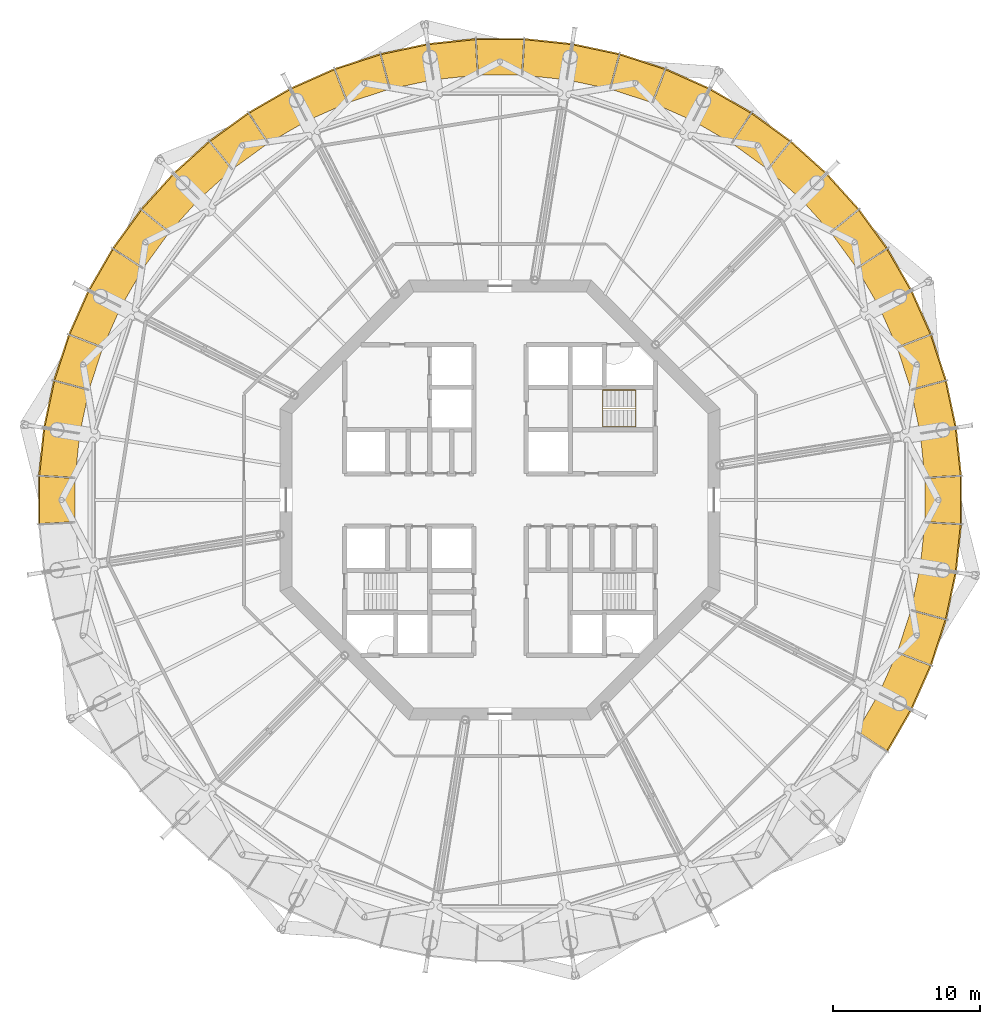
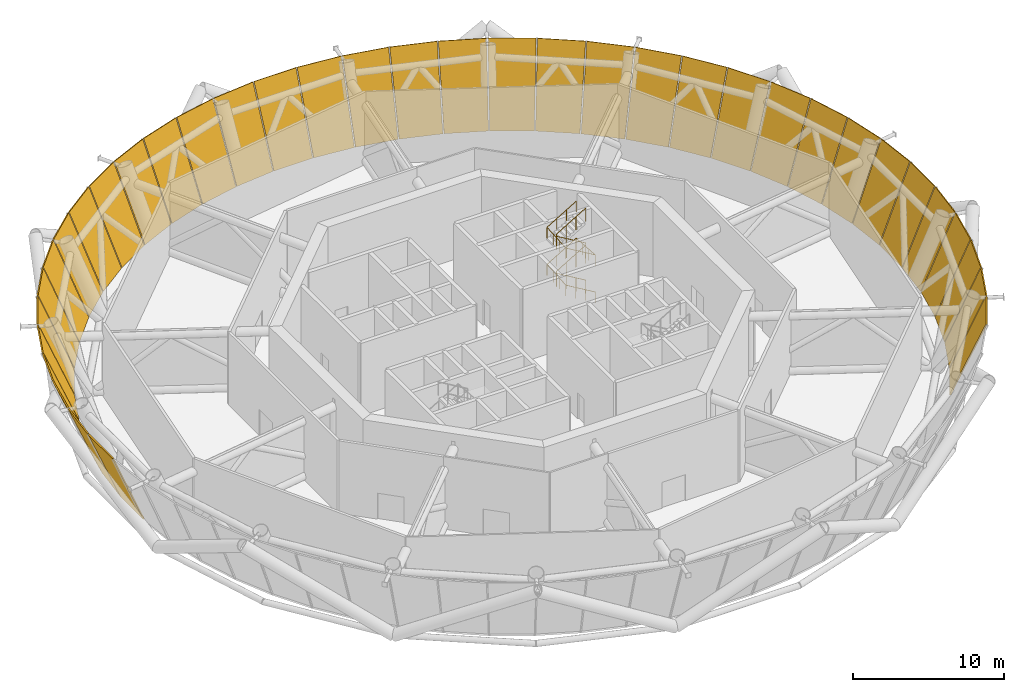
# One storey, part 20 of 20: 36 shading devices, 2 railings.
"""IFC4 building model written with IfcOpenShell, lengths in metres."""

from ifc_helpers import new_model, si_unit, direction, frame, origin, origin_2d, place, context, subcontext, project, spatial, polyline, circle, outline, extrude, material, layer, layer_set, type_object, element, save


model = new_model("IFC4")

# Units and contexts
model_context = context("Model", 3, precision=1e-05, world=origin(), true_north=direction((0.0, 1.0)))
body_context = subcontext(model_context, "Body", "Model", "MODEL_VIEW")
ifc_project = project(units=[si_unit("LENGTHUNIT", "METRE"), si_unit("AREAUNIT", "SQUARE_METRE"), si_unit("VOLUMEUNIT", "CUBIC_METRE"), si_unit("PLANEANGLEUNIT", "RADIAN"), si_unit("MASSUNIT", "GRAM", prefix="KILO")], contexts=[model_context])

# Site, building, storey
site_placement = place(None, origin())
site = spatial("IfcSite", under=ifc_project, at=site_placement, CompositionType="ELEMENT")
building_placement = place(site_placement, origin())
building = spatial("IfcBuilding", under=site, at=building_placement, Name="Entoto Ring Tower", CompositionType="ELEMENT")
storey_placement = place(building_placement, frame((0.0, 0.0, 330.0)))
storey = spatial("IfcBuildingStorey", under=building, at=storey_placement, Name="L76", CompositionType="ELEMENT", Elevation=330.0)

# Shading devices
ifc_material_1 = material(Name="Anodised aluminium", Category="aluminium")
ifc_layer = layer(ifc_material_1, 0.10009765625)
ifc_layer_set = layer_set([ifc_layer], Name="Anodised aluminium")
shading_device_type = type_object("IfcShadingDeviceType", Name="Louvre bank 100 mm anodised aluminium", PredefinedType="JALOUSIE", material=ifc_layer_set)
shading_device_1_placement = place(storey_placement, frame((118.650390625, 84.578369140625, 0.03857421875), z_axis=(-0.902905698117, -0.191893036845, 0.384627563649), x_axis=(-0.2078873337, 0.978152777669, -5.072853e-06)))
element("IfcShadingDevice", 1, at=shading_device_1_placement, inside=storey, type_object=shading_device_type, Name="LOUVRE L76-00", PredefinedType="JALOUSIE", context=body_context, shape_type="SweptSolid", body=[
    extrude(outline(polyline([(0.0, 0.0), (2.9569424470947205, 5.551115123125783e-17), (3.08395391137405, -6.295868617591806), (-0.12705669776806625, -6.29583472086293), (0.0, 0.0)])), origin(), (0.0, 0.0, -1.0), 0.10009765625),
])
shading_device_2_placement = place(storey_placement, frame((118.014892578125, 87.548095703125, 0.03857421875), z_axis=(-0.87789089123, -0.285249685264, 0.384629952231), x_axis=(-0.309024468549, 0.951054087744, -4.905778e-06)))
element("IfcShadingDevice", 2, at=shading_device_2_placement, inside=storey, type_object=shading_device_type, Name="LOUVRE L76-01", PredefinedType="JALOUSIE", context=body_context, shape_type="SweptSolid", body=[
    extrude(outline(polyline([(0.0, 0.0), (2.9569996636958553, -1.1102230246251565e-16), (3.0837332633766725, -6.295874846616945), (-0.12712122140871357, -6.295842066770974), (0.0, 0.0)])), origin(), (0.0, 0.0, -1.0), 0.10009765625),
])
shading_device_3_placement = place(storey_placement, frame((117.072509765625, 90.43505859375, 0.03857421875), z_axis=(-0.843289418518, -0.375424556988, 0.384602858317), x_axis=(-0.406707286074, 0.913558527656, 9.22371e-07)))
element("IfcShadingDevice", 3, at=shading_device_3_placement, inside=storey, type_object=shading_device_type, Name="LOUVRE L76-02", PredefinedType="JALOUSIE", context=body_context, shape_type="SweptSolid", body=[
    extrude(outline(polyline([(0.0, 0.0), (2.9570227538371645, 5.551115123125783e-17), (3.084050239886771, -6.295778378490367), (-0.1268586915096583, -6.295784541673519), (0.0, 0.0)])), origin(), (0.0, 0.0, -1.0), 0.10009765625),
])
shading_device_4_placement = place(storey_placement, frame((115.83349609375, 93.207763671875, 0.03857421875), z_axis=(-0.799402953847, -0.461562213776, 0.384597504146), x_axis=(-0.500020071649, 0.866013815091, 4.501837e-06)))
element("IfcShadingDevice", 4, at=shading_device_4_placement, inside=storey, type_object=shading_device_type, Name="LOUVRE L76-03", PredefinedType="JALOUSIE", context=body_context, shape_type="SweptSolid", body=[
    extrude(outline(polyline([(0.0, 0.0), (2.9569678858379325, -5.551115123125783e-17), (3.0838498953082634, -6.295751205556264), (-0.12688333985561287, -6.295781285130404), (0.0, 0.0)])), origin(), (0.0, 0.0, -1.0), 0.10009765625),
])
shading_device_5_placement = place(storey_placement, frame((114.311279296875, 95.835693359375, 0.03857421875), z_axis=(-0.74679755421, -0.542550852902, 0.384619272843), x_axis=(-0.587764412546, 0.809032134927, 1.2763e-07)))
element("IfcShadingDevice", 5, at=shading_device_5_placement, inside=storey, type_object=shading_device_type, Name="LOUVRE L76-04", PredefinedType="JALOUSIE", context=body_context, shape_type="SweptSolid", body=[
    extrude(outline(polyline([(0.0, 0.0), (2.957031431412119, 0.0), (3.0838625791035326, -6.295827680789539), (-0.12695793471560787, -6.295828533590912), (0.0, 0.0)])), origin(), (0.0, 0.0, -1.0), 0.10009765625),
])
shading_device_6_placement = place(storey_placement, frame((112.52294921875, 98.2900390625, 0.03857421875), z_axis=(-0.685984460559, -0.617660042916, 0.384605500814), x_axis=(-0.669126057194, 0.743148921489, 8.62533e-06)))
element("IfcShadingDevice", 6, at=shading_device_6_placement, inside=storey, type_object=shading_device_type, Name="LOUVRE L76-05", PredefinedType="JALOUSIE", context=body_context, shape_type="SweptSolid", body=[
    extrude(outline(polyline([(0.0, 0.0), (2.9572981652337456, 0.0), (3.084086432904989, -6.295760151808209), (-0.1266322470302978, -6.295817786165504), (0.0, 0.0)])), origin(), (0.0, 0.0, -1.0), 0.10009765625),
])
shading_device_7_placement = place(storey_placement, frame((110.48779296875, 100.544189453125, 0.03857421875), z_axis=(-0.617660042916, -0.685984460559, 0.384605500814), x_axis=(-0.743148921489, 0.669126057194, -8.62533e-06)))
element("IfcShadingDevice", 7, at=shading_device_7_placement, inside=storey, type_object=shading_device_type, Name="LOUVRE L76-06", PredefinedType="JALOUSIE", context=body_context, shape_type="SweptSolid", body=[
    extrude(outline(polyline([(0.0, 0.0), (2.9572981652337456, 0.0), (3.0839304122640434, -6.295817786165504), (-0.12678826767124335, -6.295760151808209), (0.0, 0.0)])), origin(), (0.0, 0.0, -1.0), 0.10009765625),
])
shading_device_8_placement = place(storey_placement, frame((108.22802734375, 102.5732421875, 0.03857421875), z_axis=(-0.542550852902, -0.74679755421, 0.384619272843), x_axis=(-0.809032134927, 0.587764412546, -1.2763e-07)))
element("IfcShadingDevice", 8, at=shading_device_8_placement, inside=storey, type_object=shading_device_type, Name="LOUVRE L76-07", PredefinedType="JALOUSIE", context=body_context, shape_type="SweptSolid", body=[
    extrude(outline(polyline([(0.0, 0.0), (2.957031431412119, 0.0), (3.0839893661277267, -6.295828533590912), (-0.12683114769141382, -6.295827680789539), (0.0, 0.0)])), origin(), (0.0, 0.0, -1.0), 0.10009765625),
])
shading_device_9_placement = place(storey_placement, frame((105.7685546875, 104.35498046875, 0.03857421875), z_axis=(-0.461562213776, -0.799402953847, 0.384597504146), x_axis=(-0.866013815091, 0.500020071649, -4.501837e-06)))
element("IfcShadingDevice", 9, at=shading_device_9_placement, inside=storey, type_object=shading_device_type, Name="LOUVRE L76-08", PredefinedType="JALOUSIE", context=body_context, shape_type="SweptSolid", body=[
    extrude(outline(polyline([(0.0, 0.0), (2.9569678858379325, 5.551115123125783e-17), (3.0838512256935458, -6.295781285130404), (-0.12688200947033065, -6.295751205556264), (0.0, 0.0)])), origin(), (0.0, 0.0, -1.0), 0.10009765625),
])
shading_device_10_placement = place(storey_placement, frame((103.136474609375, 105.869873046875, 0.03857421875), z_axis=(-0.375424556988, -0.843289418518, 0.384602858317), x_axis=(-0.913558527656, 0.406707286074, -9.22371e-07)))
element("IfcShadingDevice", 10, at=shading_device_10_placement, inside=storey, type_object=shading_device_type, Name="LOUVRE L76-09", PredefinedType="JALOUSIE", context=body_context, shape_type="SweptSolid", body=[
    extrude(outline(polyline([(0.0, 0.0), (2.9570227538371645, -5.551115123125783e-17), (3.083881445346823, -6.295784541673519), (-0.12702748604960626, -6.295778378490367), (0.0, 0.0)])), origin(), (0.0, 0.0, -1.0), 0.10009765625),
])
shading_device_11_placement = place(storey_placement, frame((100.3603515625, 107.10107421875, 0.03857421875), z_axis=(-0.285249685264, -0.87789089123, 0.384629952231), x_axis=(-0.951054087744, 0.309024468549, 4.905778e-06)))
element("IfcShadingDevice", 11, at=shading_device_11_placement, inside=storey, type_object=shading_device_type, Name="LOUVRE L76-10", PredefinedType="JALOUSIE", context=body_context, shape_type="SweptSolid", body=[
    extrude(outline(polyline([(0.0, 0.0), (2.9569996636958553, 1.1102230246251565e-16), (3.084120885104569, -6.295842066770974), (-0.12673359968081704, -6.295874846616945), (0.0, 0.0)])), origin(), (0.0, 0.0, -1.0), 0.10009765625),
])
shading_device_12_placement = place(storey_placement, frame((97.470703125, 108.03564453125, 0.03857421875), z_axis=(-0.191893036845, -0.902905698117, 0.384627563649), x_axis=(-0.978152777669, 0.2078873337, 5.072853e-06)))
element("IfcShadingDevice", 12, at=shading_device_12_placement, inside=storey, type_object=shading_device_type, Name="LOUVRE L76-11", PredefinedType="JALOUSIE", context=body_context, shape_type="SweptSolid", body=[
    extrude(outline(polyline([(0.0, 0.0), (2.9569424470947205, -5.551115123125783e-17), (3.083999144862787, -6.295834720862931), (-0.1270114642793295, -6.295868617591806), (0.0, 0.0)])), origin(), (0.0, 0.0, -1.0), 0.10009765625),
])
shading_device_13_placement = place(storey_placement, frame((94.499267578125, 108.6630859375, 0.03857421875), z_axis=(-0.09649394571, -0.918026080993, 0.384599834968), x_axis=(-0.994521474679, 0.104532465678, -4.605779e-06)))
element("IfcShadingDevice", 13, at=shading_device_13_placement, inside=storey, type_object=shading_device_type, Name="LOUVRE L76-12", PredefinedType="JALOUSIE", context=body_context, shape_type="SweptSolid", body=[
    extrude(outline(polyline([(0.0, 0.0), (2.957115182015096, 0.0), (3.083944330404934, -6.2957882562998115), (-0.12701099896787232, -6.295757480350118), (0.0, 0.0)])), origin(), (0.0, 0.0, -1.0), 0.10009765625),
])
shading_device_14_placement = place(storey_placement, frame((91.478515625, 108.976318359375, 0.03857421875), z_axis=(0.0, -0.923081512173, 0.384604370599), x_axis=(-1.0, 0.0, 0.0)))
element("IfcShadingDevice", 14, at=shading_device_14_placement, inside=storey, type_object=shading_device_type, Name="LOUVRE L76-13", PredefinedType="JALOUSIE", context=body_context, shape_type="SweptSolid", body=[
    extrude(outline(polyline([(0.0, 0.0), (2.95703125, 0.0), (3.083984375, -6.295785757659699), (-0.126953125, -6.295785757659699), (0.0, 0.0)])), origin(), (0.0, 0.0, -1.0), 0.10009765625),
])
shading_device_15_placement = place(storey_placement, frame((88.441650390625, 108.97216796875, 0.03857421875), z_axis=(0.09649394571, -0.918026080993, 0.384599834968), x_axis=(-0.994521474679, -0.104532465678, 4.605779e-06)))
element("IfcShadingDevice", 15, at=shading_device_15_placement, inside=storey, type_object=shading_device_type, Name="LOUVRE L76-14", PredefinedType="JALOUSIE", context=body_context, shape_type="SweptSolid", body=[
    extrude(outline(polyline([(0.0, 0.0), (2.957115182015096, 0.0), (3.0841261809829685, -6.295757480350118), (-0.126829148389838, -6.2957882562998115), (0.0, 0.0)])), origin(), (0.0, 0.0, -1.0), 0.10009765625),
])
shading_device_16_placement = place(storey_placement, frame((85.421630859375, 108.650390625, 0.03857421875), z_axis=(0.191893036845, -0.902905698117, 0.384627563649), x_axis=(-0.978152777669, -0.2078873337, -5.072853e-06)))
element("IfcShadingDevice", 16, at=shading_device_16_placement, inside=storey, type_object=shading_device_type, Name="LOUVRE L76-15", PredefinedType="JALOUSIE", context=body_context, shape_type="SweptSolid", body=[
    extrude(outline(polyline([(0.0, 0.0), (2.9569424470947205, 5.551115123125783e-17), (3.08395391137405, -6.295868617591806), (-0.12705669776806625, -6.29583472086293), (0.0, 0.0)])), origin(), (0.0, 0.0, -1.0), 0.10009765625),
])
shading_device_17_placement = place(storey_placement, frame((82.451904296875, 108.014892578125, 0.03857421875), z_axis=(0.285249685264, -0.87789089123, 0.384629952231), x_axis=(-0.951054087744, -0.309024468549, -4.905778e-06)))
element("IfcShadingDevice", 17, at=shading_device_17_placement, inside=storey, type_object=shading_device_type, Name="LOUVRE L76-16", PredefinedType="JALOUSIE", context=body_context, shape_type="SweptSolid", body=[
    extrude(outline(polyline([(0.0, 0.0), (2.9569996636958553, -1.1102230246251565e-16), (3.0837332633766725, -6.295874846616945), (-0.12712122140871357, -6.295842066770974), (0.0, 0.0)])), origin(), (0.0, 0.0, -1.0), 0.10009765625),
])
shading_device_18_placement = place(storey_placement, frame((79.56494140625, 107.072509765625, 0.03857421875), z_axis=(0.375424556988, -0.843289418518, 0.384602858317), x_axis=(-0.913558527656, -0.406707286074, 9.22371e-07)))
element("IfcShadingDevice", 18, at=shading_device_18_placement, inside=storey, type_object=shading_device_type, Name="LOUVRE L76-17", PredefinedType="JALOUSIE", context=body_context, shape_type="SweptSolid", body=[
    extrude(outline(polyline([(0.0, 0.0), (2.9570227538371645, 5.551115123125783e-17), (3.084050239886771, -6.295778378490367), (-0.1268586915096583, -6.295784541673519), (0.0, 0.0)])), origin(), (0.0, 0.0, -1.0), 0.10009765625),
])
shading_device_19_placement = place(storey_placement, frame((76.792236328125, 105.83349609375, 0.03857421875), z_axis=(0.461562213776, -0.799402953847, 0.384597504146), x_axis=(-0.866013815091, -0.500020071649, 4.501837e-06)))
element("IfcShadingDevice", 19, at=shading_device_19_placement, inside=storey, type_object=shading_device_type, Name="LOUVRE L76-18", PredefinedType="JALOUSIE", context=body_context, shape_type="SweptSolid", body=[
    extrude(outline(polyline([(0.0, 0.0), (2.9569678858379325, -5.551115123125783e-17), (3.0838498953082634, -6.295751205556264), (-0.12688333985561287, -6.295781285130404), (0.0, 0.0)])), origin(), (0.0, 0.0, -1.0), 0.10009765625),
])
shading_device_20_placement = place(storey_placement, frame((74.164306640625, 104.311279296875, 0.03857421875), z_axis=(0.542550852902, -0.74679755421, 0.384619272843), x_axis=(-0.809032134927, -0.587764412546, 1.2763e-07)))
element("IfcShadingDevice", 20, at=shading_device_20_placement, inside=storey, type_object=shading_device_type, Name="LOUVRE L76-19", PredefinedType="JALOUSIE", context=body_context, shape_type="SweptSolid", body=[
    extrude(outline(polyline([(0.0, 0.0), (2.957031431412119, 0.0), (3.0838625791035326, -6.295827680789539), (-0.12695793471560787, -6.295828533590912), (0.0, 0.0)])), origin(), (0.0, 0.0, -1.0), 0.10009765625),
])
shading_device_21_placement = place(storey_placement, frame((71.7099609375, 102.52294921875, 0.03857421875), z_axis=(0.617660042916, -0.685984460559, 0.384605500814), x_axis=(-0.743148921489, -0.669126057194, 8.62533e-06)))
element("IfcShadingDevice", 21, at=shading_device_21_placement, inside=storey, type_object=shading_device_type, Name="LOUVRE L76-20", PredefinedType="JALOUSIE", context=body_context, shape_type="SweptSolid", body=[
    extrude(outline(polyline([(0.0, 0.0), (2.9572981652337456, 0.0), (3.084086432904989, -6.295760151808209), (-0.1266322470302978, -6.295817786165504), (0.0, 0.0)])), origin(), (0.0, 0.0, -1.0), 0.10009765625),
])
shading_device_22_placement = place(storey_placement, frame((69.455810546875, 100.48779296875, 0.03857421875), z_axis=(0.685984460559, -0.617660042916, 0.384605500814), x_axis=(-0.669126057194, -0.743148921489, -8.62533e-06)))
element("IfcShadingDevice", 22, at=shading_device_22_placement, inside=storey, type_object=shading_device_type, Name="LOUVRE L76-21", PredefinedType="JALOUSIE", context=body_context, shape_type="SweptSolid", body=[
    extrude(outline(polyline([(0.0, 0.0), (2.9572981652337456, 0.0), (3.0839304122640434, -6.295817786165504), (-0.12678826767124335, -6.295760151808209), (0.0, 0.0)])), origin(), (0.0, 0.0, -1.0), 0.10009765625),
])
shading_device_23_placement = place(storey_placement, frame((67.4267578125, 98.22802734375, 0.03857421875), z_axis=(0.74679755421, -0.542550852902, 0.384619272843), x_axis=(-0.587764412546, -0.809032134927, -1.2763e-07)))
element("IfcShadingDevice", 23, at=shading_device_23_placement, inside=storey, type_object=shading_device_type, Name="LOUVRE L76-22", PredefinedType="JALOUSIE", context=body_context, shape_type="SweptSolid", body=[
    extrude(outline(polyline([(0.0, 0.0), (2.957031431412119, 0.0), (3.0839893661277267, -6.295828533590912), (-0.12683114769141382, -6.295827680789539), (0.0, 0.0)])), origin(), (0.0, 0.0, -1.0), 0.10009765625),
])
shading_device_24_placement = place(storey_placement, frame((65.64501953125, 95.7685546875, 0.03857421875), z_axis=(0.799402953847, -0.461562213776, 0.384597504146), x_axis=(-0.500020071649, -0.866013815091, -4.501837e-06)))
element("IfcShadingDevice", 24, at=shading_device_24_placement, inside=storey, type_object=shading_device_type, Name="LOUVRE L76-23", PredefinedType="JALOUSIE", context=body_context, shape_type="SweptSolid", body=[
    extrude(outline(polyline([(0.0, 0.0), (2.9569678858379325, 5.551115123125783e-17), (3.0838512256935458, -6.295781285130404), (-0.12688200947033065, -6.295751205556264), (0.0, 0.0)])), origin(), (0.0, 0.0, -1.0), 0.10009765625),
])
shading_device_25_placement = place(storey_placement, frame((64.130126953125, 93.136474609375, 0.03857421875), z_axis=(0.843289418518, -0.375424556988, 0.384602858317), x_axis=(-0.406707286074, -0.913558527656, -9.22371e-07)))
element("IfcShadingDevice", 25, at=shading_device_25_placement, inside=storey, type_object=shading_device_type, Name="LOUVRE L76-24", PredefinedType="JALOUSIE", context=body_context, shape_type="SweptSolid", body=[
    extrude(outline(polyline([(0.0, 0.0), (2.9570227538371645, -5.551115123125783e-17), (3.083881445346823, -6.295784541673519), (-0.12702748604960626, -6.295778378490367), (0.0, 0.0)])), origin(), (0.0, 0.0, -1.0), 0.10009765625),
])
shading_device_26_placement = place(storey_placement, frame((62.89892578125, 90.3603515625, 0.03857421875), z_axis=(0.87789089123, -0.285249685264, 0.384629952231), x_axis=(-0.309024468549, -0.951054087744, 4.905778e-06)))
element("IfcShadingDevice", 26, at=shading_device_26_placement, inside=storey, type_object=shading_device_type, Name="LOUVRE L76-25", PredefinedType="JALOUSIE", context=body_context, shape_type="SweptSolid", body=[
    extrude(outline(polyline([(0.0, 0.0), (2.9569996636958553, 1.1102230246251565e-16), (3.084120885104569, -6.295842066770974), (-0.12673359968081704, -6.295874846616945), (0.0, 0.0)])), origin(), (0.0, 0.0, -1.0), 0.10009765625),
])
shading_device_27_placement = place(storey_placement, frame((61.96435546875, 87.470703125, 0.03857421875), z_axis=(0.902905698117, -0.191893036845, 0.384627563649), x_axis=(-0.2078873337, -0.978152777669, 5.072853e-06)))
element("IfcShadingDevice", 27, at=shading_device_27_placement, inside=storey, type_object=shading_device_type, Name="LOUVRE L76-26", PredefinedType="JALOUSIE", context=body_context, shape_type="SweptSolid", body=[
    extrude(outline(polyline([(0.0, 0.0), (2.9569424470947205, -5.551115123125783e-17), (3.083999144862787, -6.295834720862931), (-0.1270114642793295, -6.295868617591806), (0.0, 0.0)])), origin(), (0.0, 0.0, -1.0), 0.10009765625),
])
shading_device_28_placement = place(storey_placement, frame((61.3369140625, 84.499267578125, 0.03857421875), z_axis=(0.918026080993, -0.09649394571, 0.384599834968), x_axis=(-0.104532465678, -0.994521474679, -4.605779e-06)))
element("IfcShadingDevice", 28, at=shading_device_28_placement, inside=storey, type_object=shading_device_type, Name="LOUVRE L76-27", PredefinedType="JALOUSIE", context=body_context, shape_type="SweptSolid", body=[
    extrude(outline(polyline([(0.0, 0.0), (2.957115182015096, 0.0), (3.083944330404934, -6.2957882562998115), (-0.12701099896787232, -6.295757480350118), (0.0, 0.0)])), origin(), (0.0, 0.0, -1.0), 0.10009765625),
])
shading_device_29_placement = place(storey_placement, frame((61.023681640625, 81.478515625, 0.03857421875), z_axis=(0.923081512173, 0.0, 0.384604370599), x_axis=(0.0, -1.0, 0.0)))
element("IfcShadingDevice", 29, at=shading_device_29_placement, inside=storey, type_object=shading_device_type, Name="LOUVRE L76-28", PredefinedType="JALOUSIE", context=body_context, shape_type="SweptSolid", body=[
    extrude(outline(polyline([(0.0, 0.0), (2.95703125, 0.0), (3.083984375, -6.295785757659699), (-0.126953125, -6.295785757659699), (0.0, 0.0)])), origin(), (0.0, 0.0, -1.0), 0.10009765625),
])
shading_device_30_placement = place(storey_placement, frame((114.35498046875, 64.2314453125, 0.03857421875), z_axis=(-0.799402953847, 0.461562213776, 0.384597504146), x_axis=(0.500020071649, 0.866013815091, -4.501837e-06)))
element("IfcShadingDevice", 30, at=shading_device_30_placement, inside=storey, type_object=shading_device_type, Name="LOUVRE L76-53", PredefinedType="JALOUSIE", context=body_context, shape_type="SweptSolid", body=[
    extrude(outline(polyline([(0.0, 0.0), (2.9569678858379325, 5.551115123125783e-17), (3.0838512256935458, -6.295781285130404), (-0.12688200947033065, -6.295751205556264), (0.0, 0.0)])), origin(), (0.0, 0.0, -1.0), 0.10009765625),
])
shading_device_31_placement = place(storey_placement, frame((115.869873046875, 66.863525390625, 0.03857421875), z_axis=(-0.843289418518, 0.375424556988, 0.384602858317), x_axis=(0.406707286074, 0.913558527656, -9.22371e-07)))
element("IfcShadingDevice", 31, at=shading_device_31_placement, inside=storey, type_object=shading_device_type, Name="LOUVRE L76-54", PredefinedType="JALOUSIE", context=body_context, shape_type="SweptSolid", body=[
    extrude(outline(polyline([(0.0, 0.0), (2.9570227538371645, -5.551115123125783e-17), (3.083881445346823, -6.295784541673519), (-0.12702748604960626, -6.295778378490367), (0.0, 0.0)])), origin(), (0.0, 0.0, -1.0), 0.10009765625),
])
shading_device_32_placement = place(storey_placement, frame((117.10107421875, 69.6396484375, 0.03857421875), z_axis=(-0.87789089123, 0.285249685264, 0.384629952231), x_axis=(0.309024468549, 0.951054087744, 4.905778e-06)))
element("IfcShadingDevice", 32, at=shading_device_32_placement, inside=storey, type_object=shading_device_type, Name="LOUVRE L76-55", PredefinedType="JALOUSIE", context=body_context, shape_type="SweptSolid", body=[
    extrude(outline(polyline([(0.0, 0.0), (2.9569996636958553, 1.1102230246251565e-16), (3.084120885104569, -6.295842066770974), (-0.12673359968081704, -6.295874846616945), (0.0, 0.0)])), origin(), (0.0, 0.0, -1.0), 0.10009765625),
])
shading_device_33_placement = place(storey_placement, frame((118.03564453125, 72.529296875, 0.03857421875), z_axis=(-0.902905698117, 0.191893036845, 0.384627563649), x_axis=(0.2078873337, 0.978152777669, 5.072853e-06)))
element("IfcShadingDevice", 33, at=shading_device_33_placement, inside=storey, type_object=shading_device_type, Name="LOUVRE L76-56", PredefinedType="JALOUSIE", context=body_context, shape_type="SweptSolid", body=[
    extrude(outline(polyline([(0.0, 0.0), (2.9569424470947205, -5.551115123125783e-17), (3.083999144862787, -6.295834720862931), (-0.1270114642793295, -6.295868617591806), (0.0, 0.0)])), origin(), (0.0, 0.0, -1.0), 0.10009765625),
])
shading_device_34_placement = place(storey_placement, frame((118.6630859375, 75.500732421875, 0.03857421875), z_axis=(-0.918026080993, 0.09649394571, 0.384599834968), x_axis=(0.104532465678, 0.994521474679, -4.605779e-06)))
element("IfcShadingDevice", 34, at=shading_device_34_placement, inside=storey, type_object=shading_device_type, Name="LOUVRE L76-57", PredefinedType="JALOUSIE", context=body_context, shape_type="SweptSolid", body=[
    extrude(outline(polyline([(0.0, 0.0), (2.957115182015096, 0.0), (3.083944330404934, -6.2957882562998115), (-0.12701099896787232, -6.295757480350118), (0.0, 0.0)])), origin(), (0.0, 0.0, -1.0), 0.10009765625),
])
shading_device_35_placement = place(storey_placement, frame((118.976318359375, 78.521484375, 0.03857421875), z_axis=(-0.923081512173, 0.0, 0.384604370599), x_axis=(0.0, 1.0, 0.0)))
element("IfcShadingDevice", 35, at=shading_device_35_placement, inside=storey, type_object=shading_device_type, Name="LOUVRE L76-58", PredefinedType="JALOUSIE", context=body_context, shape_type="SweptSolid", body=[
    extrude(outline(polyline([(0.0, 0.0), (2.95703125, 0.0), (3.083984375, -6.295785757659699), (-0.126953125, -6.295785757659699), (0.0, 0.0)])), origin(), (0.0, 0.0, -1.0), 0.10009765625),
])
shading_device_36_placement = place(storey_placement, frame((118.97216796875, 81.558349609375, 0.03857421875), z_axis=(-0.918026080993, -0.09649394571, 0.384599834968), x_axis=(-0.104532465678, 0.994521474679, 4.605779e-06)))
element("IfcShadingDevice", 36, at=shading_device_36_placement, inside=storey, type_object=shading_device_type, Name="LOUVRE L76-59", PredefinedType="JALOUSIE", context=body_context, shape_type="SweptSolid", body=[
    extrude(outline(polyline([(0.0, 0.0), (2.957115182015096, 0.0), (3.0841261809829685, -6.295757480350118), (-0.126829148389838, -6.2957882562998115), (0.0, 0.0)])), origin(), (0.0, 0.0, -1.0), 0.10009765625),
])

# Railings
ifc_material_2 = material(Name="Steel S275", Category="steel")
railing_type_1 = type_object("IfcRailingType", Name="Stair guard 1100 mm steel", PredefinedType="GUARDRAIL", material=ifc_material_2)
railing_1_placement = place(storey_placement, frame((99.25, 86.25, 0.166748046875)))
element("IfcRailing", 37, at=railing_1_placement, inside=storey, type_object=railing_type_1, Name="Guard ST1", PredefinedType="GUARDRAIL", context=body_context, shape_type="SweptSolid", body=[
    extrude(circle(Radius=0.02392578125, at=origin_2d()), frame((0.0, 0.0, 1.076171875), z_axis=(-0.859305625298, 0.0, 0.511462454469), x_axis=(0.0, -1.0, 0.0)), (0.0, 0.0, 1.0), 2.606689453125),
    extrude(circle(Radius=0.02392578125, at=origin_2d()), frame((-2.239990234375, 0.0, 2.4091796875), z_axis=(0.0, 0.0, 1.0), x_axis=(1.0, 0.0, 0.0)), (0.0, 0.0, 1.0), 0.166748046875),
    extrude(circle(Radius=0.02392578125, at=origin_2d()), frame((-2.239990234375, 0.0, 2.576171875), z_axis=(0.859305625298, 0.0, 0.511462454469), x_axis=(0.0, 1.0, 0.0)), (0.0, 0.0, 1.0), 2.606689453125),
    extrude(circle(Radius=0.02392578125, at=origin_2d()), frame((0.0, 0.0, 3.9091796875), z_axis=(0.0, 0.0, 1.0), x_axis=(1.0, 0.0, 0.0)), (0.0, 0.0, 1.0), 0.166748046875),
    extrude(circle(Radius=0.02392578125, at=origin_2d()), frame((0.0, 0.0, 4.076171875), z_axis=(-0.859305625298, 0.0, 0.511462454469), x_axis=(0.0, -1.0, 0.0)), (0.0, 0.0, 1.0), 2.606689453125),
    extrude(circle(Radius=0.02392578125, at=origin_2d()), frame((-2.239990234375, 0.0, 5.4091796875), z_axis=(0.0, 0.0, 1.0), x_axis=(1.0, 0.0, 0.0)), (0.0, 0.0, 1.0), 0.166748046875),
    extrude(circle(Radius=0.02392578125, at=origin_2d()), frame((-2.239990234375, 0.0, 5.576171875), z_axis=(0.859305625298, 0.0, 0.511462454469), x_axis=(0.0, 1.0, 0.0)), (0.0, 0.0, 1.0), 2.606689453125),
    extrude(circle(Radius=0.02099609375, at=origin_2d()), origin(), (0.0, 0.0, 1.0), 1.052001953125),
    extrude(circle(Radius=0.02099609375, at=origin_2d()), frame((-0.74658203125, 0.0, 0.4443359375)), (0.0, 0.0, 1.0), 1.052001953125),
    extrude(circle(Radius=0.02099609375, at=origin_2d()), frame((-1.493408203125, 0.0, 0.888916015625)), (0.0, 0.0, 1.0), 1.052001953125),
    extrude(circle(Radius=0.02099609375, at=origin_2d()), frame((-2.239990234375, 0.0, 1.333251953125)), (0.0, 0.0, 1.0), 1.052001953125),
    extrude(circle(Radius=0.02099609375, at=origin_2d()), frame((-2.239990234375, 0.0, 1.5)), (0.0, 0.0, 1.0), 1.052001953125),
    extrude(circle(Radius=0.02099609375, at=origin_2d()), frame((-1.493408203125, 0.0, 1.9443359375)), (0.0, 0.0, 1.0), 1.052001953125),
    extrude(circle(Radius=0.02099609375, at=origin_2d()), frame((-0.74658203125, 0.0, 2.388916015625)), (0.0, 0.0, 1.0), 1.052001953125),
    extrude(circle(Radius=0.02099609375, at=origin_2d()), frame((0.0, 0.0, 2.833251953125)), (0.0, 0.0, 1.0), 1.052001953125),
    extrude(circle(Radius=0.02099609375, at=origin_2d()), frame((0.0, 0.0, 3.0)), (0.0, 0.0, 1.0), 1.052001953125),
    extrude(circle(Radius=0.02099609375, at=origin_2d()), frame((-0.74658203125, 0.0, 3.4443359375)), (0.0, 0.0, 1.0), 1.052001953125),
    extrude(circle(Radius=0.02099609375, at=origin_2d()), frame((-1.493408203125, 0.0, 3.888916015625)), (0.0, 0.0, 1.0), 1.052001953125),
    extrude(circle(Radius=0.02099609375, at=origin_2d()), frame((-2.239990234375, 0.0, 4.333251953125)), (0.0, 0.0, 1.0), 1.052001953125),
    extrude(circle(Radius=0.02099609375, at=origin_2d()), frame((-2.239990234375, 0.0, 4.5)), (0.0, 0.0, 1.0), 1.052001953125),
    extrude(circle(Radius=0.02099609375, at=origin_2d()), frame((-1.493408203125, 0.0, 4.9443359375)), (0.0, 0.0, 1.0), 1.052001953125),
    extrude(circle(Radius=0.02099609375, at=origin_2d()), frame((-0.74658203125, 0.0, 5.388916015625)), (0.0, 0.0, 1.0), 1.052001953125),
    extrude(circle(Radius=0.02099609375, at=origin_2d()), frame((0.0, 0.0, 5.833251953125)), (0.0, 0.0, 1.0), 1.052001953125),
])
ifc_material_3 = material(Name="Steel S275", Category="steel")
railing_type_2 = type_object("IfcRailingType", Name="Stair handrail 900 mm steel", PredefinedType="HANDRAIL", material=ifc_material_3)
railing_2_placement = place(storey_placement, frame((99.25, 85.0, 0.166748046875)))
element("IfcRailing", 38, at=railing_2_placement, inside=storey, type_object=railing_type_2, Name="Handrail ST1", PredefinedType="HANDRAIL", context=body_context, shape_type="SweptSolid", body=[
    extrude(circle(Radius=0.02392578125, at=origin_2d()), frame((0.0, 0.0, 0.8759765625), z_axis=(-0.859305625298, 0.0, 0.511462454469), x_axis=(0.0, -1.0, 0.0)), (0.0, 0.0, 1.0), 2.606689453125),
    extrude(circle(Radius=0.02392578125, at=origin_2d()), frame((-2.239990234375, 0.0, 2.208984375), z_axis=(0.0, 0.997783001586, 0.066551346688), x_axis=(-1.0, 0.0, 0.0)), (0.0, 0.0, 1.0), 2.505615234375),
    extrude(circle(Radius=0.02392578125, at=origin_2d()), frame((-2.239990234375, 2.5, 2.3759765625), z_axis=(0.859305625298, 0.0, 0.511462454469), x_axis=(0.0, 1.0, 0.0)), (0.0, 0.0, 1.0), 2.606689453125),
    extrude(circle(Radius=0.02392578125, at=origin_2d()), frame((0.0, 2.5, 3.708984375), z_axis=(0.0, -0.997783001586, 0.066551346688), x_axis=(1.0, 0.0, 0.0)), (0.0, 0.0, 1.0), 2.505615234375),
    extrude(circle(Radius=0.02392578125, at=origin_2d()), frame((0.0, 0.0, 3.8759765625), z_axis=(-0.859305625298, 0.0, 0.511462454469), x_axis=(0.0, -1.0, 0.0)), (0.0, 0.0, 1.0), 2.606689453125),
    extrude(circle(Radius=0.02392578125, at=origin_2d()), frame((-2.239990234375, 0.0, 5.208984375), z_axis=(0.0, 0.997783001586, 0.066551346688), x_axis=(-1.0, 0.0, 0.0)), (0.0, 0.0, 1.0), 2.505615234375),
    extrude(circle(Radius=0.02392578125, at=origin_2d()), frame((-2.239990234375, 2.5, 5.3759765625), z_axis=(0.859305625298, 0.0, 0.511462454469), x_axis=(0.0, 1.0, 0.0)), (0.0, 0.0, 1.0), 2.606689453125),
    extrude(circle(Radius=0.02099609375, at=origin_2d()), origin(), (0.0, 0.0, 1.0), 0.851806640625),
    extrude(circle(Radius=0.02099609375, at=origin_2d()), frame((-0.74658203125, 0.0, 0.4443359375)), (0.0, 0.0, 1.0), 0.851806640625),
    extrude(circle(Radius=0.02099609375, at=origin_2d()), frame((-1.493408203125, 0.0, 0.888916015625)), (0.0, 0.0, 1.0), 0.851806640625),
    extrude(circle(Radius=0.02099609375, at=origin_2d()), frame((-2.239990234375, 0.0, 1.333251953125)), (0.0, 0.0, 1.0), 0.851806640625),
    extrude(circle(Radius=0.02099609375, at=origin_2d()), frame((-2.239990234375, 0.833251953125, 1.388916015625)), (0.0, 0.0, 1.0), 0.851806640625),
    extrude(circle(Radius=0.02099609375, at=origin_2d()), frame((-2.239990234375, 1.666748046875, 1.4443359375)), (0.0, 0.0, 1.0), 0.851806640625),
    extrude(circle(Radius=0.02099609375, at=origin_2d()), frame((-2.239990234375, 2.5, 1.5)), (0.0, 0.0, 1.0), 0.851806640625),
    extrude(circle(Radius=0.02099609375, at=origin_2d()), frame((-1.493408203125, 2.5, 1.9443359375)), (0.0, 0.0, 1.0), 0.851806640625),
    extrude(circle(Radius=0.02099609375, at=origin_2d()), frame((-0.74658203125, 2.5, 2.388916015625)), (0.0, 0.0, 1.0), 0.851806640625),
    extrude(circle(Radius=0.02099609375, at=origin_2d()), frame((0.0, 2.5, 2.833251953125)), (0.0, 0.0, 1.0), 0.851806640625),
    extrude(circle(Radius=0.02099609375, at=origin_2d()), frame((0.0, 1.666748046875, 2.888916015625)), (0.0, 0.0, 1.0), 0.851806640625),
    extrude(circle(Radius=0.02099609375, at=origin_2d()), frame((0.0, 0.833251953125, 2.9443359375)), (0.0, 0.0, 1.0), 0.851806640625),
    extrude(circle(Radius=0.02099609375, at=origin_2d()), frame((0.0, 0.0, 3.0)), (0.0, 0.0, 1.0), 0.851806640625),
    extrude(circle(Radius=0.02099609375, at=origin_2d()), frame((-0.74658203125, 0.0, 3.4443359375)), (0.0, 0.0, 1.0), 0.851806640625),
    extrude(circle(Radius=0.02099609375, at=origin_2d()), frame((-1.493408203125, 0.0, 3.888916015625)), (0.0, 0.0, 1.0), 0.851806640625),
    extrude(circle(Radius=0.02099609375, at=origin_2d()), frame((-2.239990234375, 0.0, 4.333251953125)), (0.0, 0.0, 1.0), 0.851806640625),
    extrude(circle(Radius=0.02099609375, at=origin_2d()), frame((-2.239990234375, 0.833251953125, 4.388916015625)), (0.0, 0.0, 1.0), 0.851806640625),
    extrude(circle(Radius=0.02099609375, at=origin_2d()), frame((-2.239990234375, 1.666748046875, 4.4443359375)), (0.0, 0.0, 1.0), 0.851806640625),
    extrude(circle(Radius=0.02099609375, at=origin_2d()), frame((-2.239990234375, 2.5, 4.5)), (0.0, 0.0, 1.0), 0.851806640625),
    extrude(circle(Radius=0.02099609375, at=origin_2d()), frame((-1.493408203125, 2.5, 4.9443359375)), (0.0, 0.0, 1.0), 0.851806640625),
    extrude(circle(Radius=0.02099609375, at=origin_2d()), frame((-0.74658203125, 2.5, 5.388916015625)), (0.0, 0.0, 1.0), 0.851806640625),
    extrude(circle(Radius=0.02099609375, at=origin_2d()), frame((0.0, 2.5, 5.833251953125)), (0.0, 0.0, 1.0), 0.851806640625),
])

save(model, "model.ifc")
